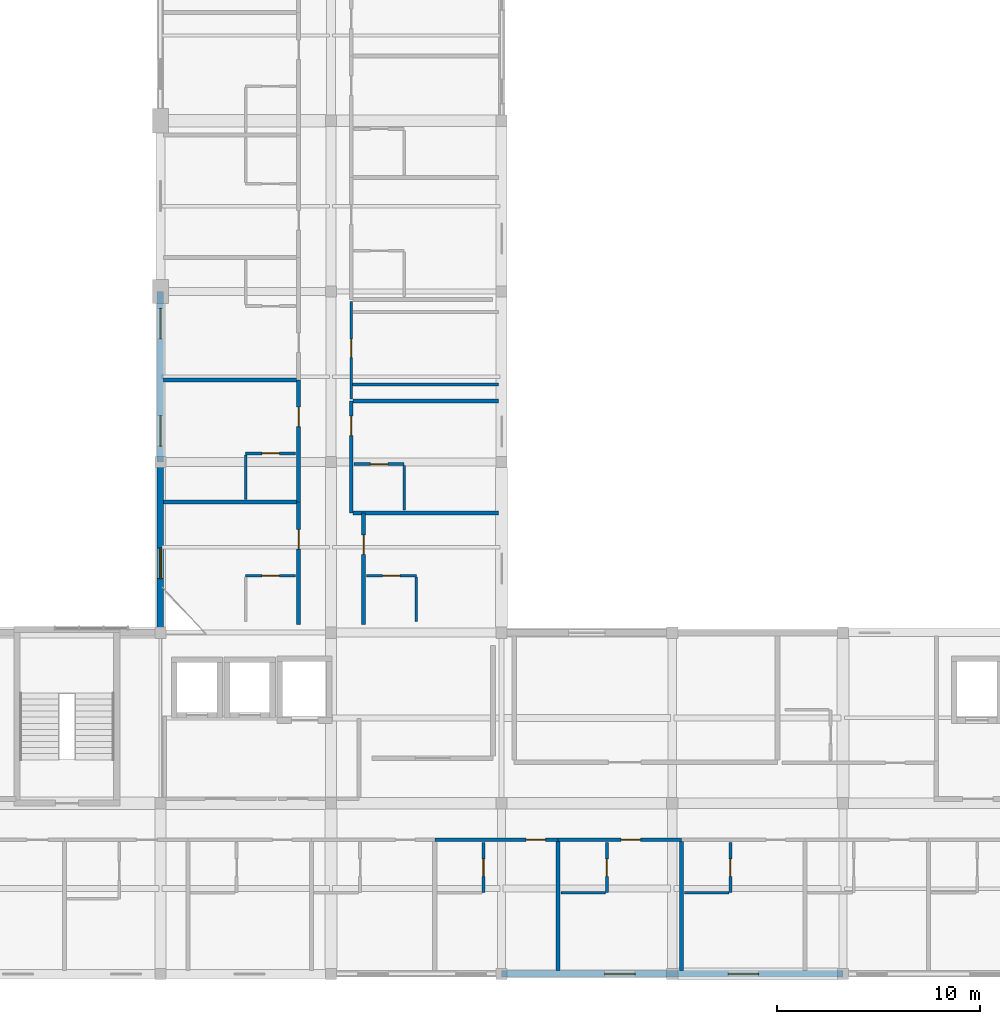
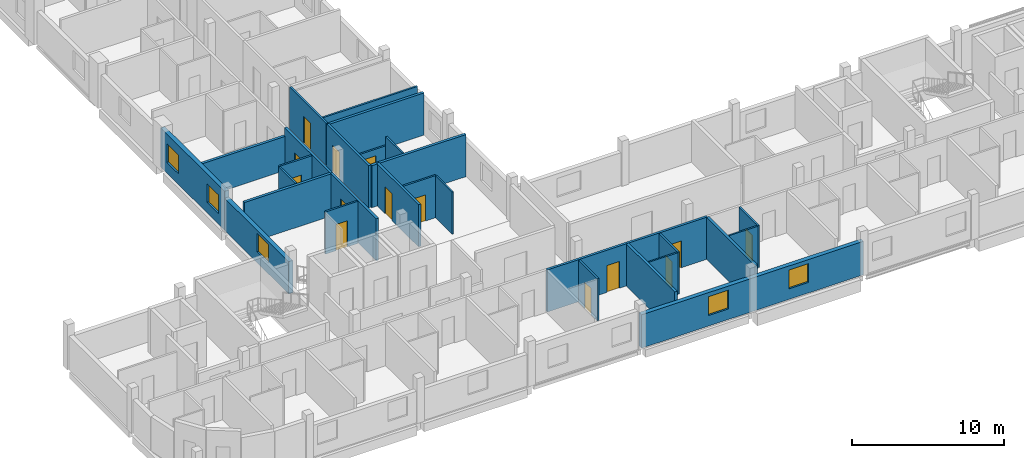
# One storey, part 11 of 20: 29 walls, 14 doors, 5 windows, 19 openings.
"""IFC4 building model written with IfcOpenShell, lengths in metres."""

from ifc_helpers import new_model, si_unit, derived_unit, direction, frame, frame_2d, origin, place, context, subcontext, project, spatial, rectangle, extrude, material, layer, layer_set, type_object, element, fill, save


model = new_model("IFC4")

# Units and contexts
model_context = context("Model", 3, precision=1e-05, world=origin(), true_north=direction((0.0, 1.0)))
body_context = subcontext(model_context, "Body", "Model", "MODEL_VIEW")
ifc_project = project(units=[si_unit("LENGTHUNIT", "METRE"), si_unit("AREAUNIT", "SQUARE_METRE"), si_unit("VOLUMEUNIT", "CUBIC_METRE"), si_unit("PLANEANGLEUNIT", "RADIAN"), si_unit("MASSUNIT", "GRAM", prefix="KILO"), derived_unit("THERMALTRANSMITTANCEUNIT", [(si_unit("POWERUNIT", "WATT"), 1), (si_unit("LENGTHUNIT", "METRE"), -2), (si_unit("THERMODYNAMICTEMPERATUREUNIT", "KELVIN"), -1)])], contexts=[model_context])

# Site, building, storey
site_placement = place(None, origin())
site = spatial("IfcSite", under=ifc_project, at=site_placement, CompositionType="ELEMENT")
building_placement = place(site_placement, origin())
building = spatial("IfcBuilding", under=site, at=building_placement, Name="Barrovel Congress Hotel", CompositionType="ELEMENT")
storey_placement = place(building_placement, frame((0.0, 0.0, 36.300048828125)))
storey = spatial("IfcBuildingStorey", under=building, at=storey_placement, Name="L09", CompositionType="ELEMENT", Elevation=36.300048828125)

# Wall, openings, windows
ifc_material_1 = material(Name="Fired Clay Brick Masonry", Category="masonry")
ifc_layer_1 = layer(ifc_material_1, 0.320068359375)
ifc_layer_set_1 = layer_set([ifc_layer_1], Name="Fired Clay Brick Masonry")
wall_type_1 = type_object("IfcWallType", Name="EW-BRK320", PredefinedType="STANDARD", material=ifc_layer_set_1)
wall_1_placement = place(storey_placement, frame((50.39990234375, 4.199951171875, 0.0), z_axis=(0.0, 0.0, 1.0), x_axis=(1.0, 0.0, 0.0)))
wall_1 = element("IfcWall", 1, at=wall_1_placement, inside=storey, type_object=wall_type_1, Name="EW:L09:HS-S:P04", PredefinedType="STANDARD", context=body_context, shape_type="SweptSolid", body=[
    extrude(rectangle(XDim=16.800048828125, YDim=0.320068359375, at=frame_2d((8.39990234375, 0.0))), origin(), (0.0, 0.0, 1.0), 2.679931640625),
])
opening_1_placement = place(wall_1_placement, frame((5.072998046875, 0.0, 0.85009765625)))
opening_1 = element("IfcOpeningElement", 2, at=opening_1_placement, cuts=wall_1, Name="Opening WN-07", PredefinedType="OPENING", context=body_context, shape_type="SweptSolid", body=[
    extrude(rectangle(XDim=1.5, YDim=1.5, at=frame_2d((0.75, 0.75))), frame((0.0, 0.169921875, 0.0), z_axis=(0.0, -1.0, 0.0), x_axis=(1.0, 0.0, 0.0)), (0.0, 0.0, 1.0), 0.340087890625),
])
opening_2_placement = place(wall_1_placement, frame((11.14990234375, 0.0, 0.85009765625)))
opening_2 = element("IfcOpeningElement", 3, at=opening_2_placement, cuts=wall_1, Name="Opening WN-07", PredefinedType="OPENING", context=body_context, shape_type="SweptSolid", body=[
    extrude(rectangle(XDim=1.5, YDim=1.5, at=frame_2d((0.75, 0.75))), frame((0.0, 0.169921875, 0.0), z_axis=(0.0, -1.0, 0.0), x_axis=(1.0, 0.0, 0.0)), (0.0, 0.0, 1.0), 0.340087890625),
])
ifc_material_2 = material(Name="Double Low-E Insulated Glazing", Category="glass")
window_type = type_object("IfcWindowType", Name="WIN-WN-07", PartitioningType="SINGLE_PANEL", PredefinedType="WINDOW", material=ifc_material_2)
window_1_placement = place(opening_1_placement, origin())
window_1 = element("IfcWindow", 4, at=window_1_placement, inside=storey, type_object=window_type, Name="WIN:L09:U07", OverallHeight=1.5, OverallWidth=1.5, PartitioningType="SINGLE_PANEL", PredefinedType="WINDOW", context=body_context, shape_type="SweptSolid", body=[
    extrude(rectangle(XDim=1.5, YDim=1.5, at=frame_2d((0.75, 0.75))), frame((0.0, 0.030029296875, 0.0), z_axis=(0.0, -1.0, 0.0), x_axis=(1.0, 0.0, 0.0)), (0.0, 0.0, 1.0), 0.06005859375),
])
fill(opening_1, window_1)
window_2_placement = place(opening_2_placement, origin())
window_2 = element("IfcWindow", 5, at=window_2_placement, inside=storey, type_object=window_type, Name="WIN:L09:U08", OverallHeight=1.5, OverallWidth=1.5, PartitioningType="SINGLE_PANEL", PredefinedType="WINDOW", context=body_context, shape_type="SweptSolid", body=[
    extrude(rectangle(XDim=1.5, YDim=1.5, at=frame_2d((0.75, 0.75))), frame((0.0, 0.030029296875, 0.0), z_axis=(0.0, -1.0, 0.0), x_axis=(1.0, 0.0, 0.0)), (0.0, 0.0, 1.0), 0.06005859375),
])
fill(opening_2, window_2)

wall_2_placement = place(storey_placement, frame((33.60009765625, 37.800048828125, 0.0), z_axis=(0.0, 0.0, 1.0), x_axis=(0.0, -1.0, 0.0)))
wall_2 = element("IfcWall", 6, at=wall_2_placement, inside=storey, type_object=wall_type_1, Name="EW:L09:HW-W:P03", PredefinedType="STANDARD", context=body_context, shape_type="SweptSolid", body=[
    extrude(rectangle(XDim=8.400146484375, YDim=0.320068359375, at=frame_2d((4.2001953125, 0.0))), origin(), (0.0, 0.0, 1.0), 3.1259765625),
])
opening_3_placement = place(wall_2_placement, frame((6.112548828125, 0.0, 0.85009765625)))
opening_3 = element("IfcOpeningElement", 7, at=opening_3_placement, cuts=wall_2, Name="Opening WN-07", PredefinedType="OPENING", context=body_context, shape_type="SweptSolid", body=[
    extrude(rectangle(XDim=1.5, YDim=1.5, at=frame_2d((0.75, 0.75))), frame((0.0, 0.169921875, 0.0), z_axis=(0.0, -1.0, 0.0), x_axis=(1.0, 0.0, 0.0)), (0.0, 0.0, 1.0), 0.340087890625),
])
opening_4_placement = place(wall_2_placement, frame((0.83740234375, 0.0, 0.85009765625)))
opening_4 = element("IfcOpeningElement", 8, at=opening_4_placement, cuts=wall_2, Name="Opening WN-07", PredefinedType="OPENING", context=body_context, shape_type="SweptSolid", body=[
    extrude(rectangle(XDim=1.5, YDim=1.5, at=frame_2d((0.75, 0.75))), frame((0.0, 0.169921875, 0.0), z_axis=(0.0, -1.0, 0.0), x_axis=(1.0, 0.0, 0.0)), (0.0, 0.0, 1.0), 0.340087890625),
])
window_3_placement = place(opening_3_placement, origin())
window_3 = element("IfcWindow", 9, at=window_3_placement, inside=storey, type_object=window_type, Name="WIN:L09:U26", OverallHeight=1.5, OverallWidth=1.5, PartitioningType="SINGLE_PANEL", PredefinedType="WINDOW", context=body_context, shape_type="SweptSolid", body=[
    extrude(rectangle(XDim=1.5, YDim=1.5, at=frame_2d((0.75, 0.75))), frame((0.0, 0.030029296875, 0.0), z_axis=(0.0, -1.0, 0.0), x_axis=(1.0, 0.0, 0.0)), (0.0, 0.0, 1.0), 0.06005859375),
])
fill(opening_3, window_3)
window_4_placement = place(opening_4_placement, origin())
window_4 = element("IfcWindow", 10, at=window_4_placement, inside=storey, type_object=window_type, Name="WIN:L09:U27", OverallHeight=1.5, OverallWidth=1.5, PartitioningType="SINGLE_PANEL", PredefinedType="WINDOW", context=body_context, shape_type="SweptSolid", body=[
    extrude(rectangle(XDim=1.5, YDim=1.5, at=frame_2d((0.75, 0.75))), frame((0.0, 0.030029296875, 0.0), z_axis=(0.0, -1.0, 0.0), x_axis=(1.0, 0.0, 0.0)), (0.0, 0.0, 1.0), 0.06005859375),
])
fill(opening_4, window_4)

# Wall, opening, window
wall_3_placement = place(storey_placement, frame((33.60009765625, 29.39990234375, 0.0), z_axis=(0.0, 0.0, 1.0), x_axis=(0.0, -1.0, 0.0)))
wall_3 = element("IfcWall", 11, at=wall_3_placement, inside=storey, type_object=wall_type_1, Name="EW:L09:HW-W:P04", PredefinedType="STANDARD", context=body_context, shape_type="SweptSolid", body=[
    extrude(rectangle(XDim=8.39990234375, YDim=0.320068359375, at=frame_2d((4.199951171875, 0.0))), origin(), (0.0, 0.0, 1.0), 2.579833984375),
])
opening_5_placement = place(wall_3_placement, frame((4.237548828125, 0.0, 0.85009765625)))
opening_5 = element("IfcOpeningElement", 12, at=opening_5_placement, cuts=wall_3, Name="Opening WN-07", PredefinedType="OPENING", context=body_context, shape_type="SweptSolid", body=[
    extrude(rectangle(XDim=1.5, YDim=1.5, at=frame_2d((0.75, 0.75))), frame((0.0, 0.169921875, 0.0), z_axis=(0.0, -1.0, 0.0), x_axis=(1.0, 0.0, 0.0)), (0.0, 0.0, 1.0), 0.340087890625),
])
window_5_placement = place(opening_5_placement, origin())
window_5 = element("IfcWindow", 13, at=window_5_placement, inside=storey, type_object=window_type, Name="WIN:L09:U25", OverallHeight=1.5, OverallWidth=1.5, PartitioningType="SINGLE_PANEL", PredefinedType="WINDOW", context=body_context, shape_type="SweptSolid", body=[
    extrude(rectangle(XDim=1.5, YDim=1.5, at=frame_2d((0.75, 0.75))), frame((0.0, 0.030029296875, 0.0), z_axis=(0.0, -1.0, 0.0), x_axis=(1.0, 0.0, 0.0)), (0.0, 0.0, 1.0), 0.06005859375),
])
fill(opening_5, window_5)

# Wall, opening, door
ifc_material_3 = material(Name="Gypsum Acoustic Stud", Category="gypsum")
ifc_layer_2 = layer(ifc_material_3, 0.179931640625)
ifc_layer_set_2 = layer_set([ifc_layer_2], Name="Gypsum Acoustic Stud")
wall_type_2 = type_object("IfcWallType", Name="PW-ACU-180", PredefinedType="PARTITIONING", material=ifc_layer_set_2)
wall_4_placement = place(storey_placement, frame((47.107666015625, 10.800048828125, 0.0), z_axis=(0.0, 0.0, 1.0), x_axis=(1.0, 0.0, 0.0)))
wall_4 = element("IfcWall", 14, at=wall_4_placement, inside=storey, type_object=wall_type_2, Name="PW:L09:U06:COR", PredefinedType="PARTITIONING", context=body_context, shape_type="SweptSolid", body=[
    extrude(rectangle(XDim=6.076904296875, YDim=0.179931640625, at=frame_2d((3.03857421875, 0.0))), origin(), (0.0, 0.0, 1.0), 3.375),
])
opening_6_placement = place(wall_4_placement, frame((4.504638671875, 0.0, 0.0)))
opening_6 = element("IfcOpeningElement", 15, at=opening_6_placement, cuts=wall_4, Name="Opening ID-HTL", PredefinedType="OPENING", context=body_context, shape_type="SweptSolid", body=[
    extrude(rectangle(XDim=0.9599609375, YDim=2.14990234375, at=frame_2d((0.47998046875, 1.074951171875))), frame((0.0, 0.10009765625, 0.0), z_axis=(0.0, -1.0, 0.0), x_axis=(1.0, 0.0, 0.0)), (0.0, 0.0, 1.0), 0.199951171875),
])
ifc_material_4 = material(Name="Solid Oak Acoustic Timber Door", Category="wood")
door_type_1 = type_object("IfcDoorType", Name="IDR-ID-HTL", OperationType="NOTDEFINED", PredefinedType="DOOR", material=ifc_material_4)
door_1_placement = place(opening_6_placement, origin())
door_1 = element("IfcDoor", 16, at=door_1_placement, inside=storey, type_object=door_type_1, Name="DR:L09:U06:ENT", OperationType="SINGLE_SWING_RIGHT", OverallHeight=2.14990234375, OverallWidth=0.9599609375, PredefinedType="DOOR", context=body_context, shape_type="SweptSolid", body=[
    extrude(rectangle(XDim=0.9599609375, YDim=2.14990234375, at=frame_2d((0.47998046875, 1.074951171875))), frame((0.0, 0.02490234375, 0.0), z_axis=(0.0, -1.0, 0.0), x_axis=(1.0, 0.0, 0.0)), (0.0, 0.0, 1.0), 0.050048828125),
])
fill(opening_6, door_1)

wall_5_placement = place(storey_placement, frame((53.1845703125, 10.800048828125, 0.0), z_axis=(0.0, 0.0, 1.0), x_axis=(1.0, 0.0, 0.0)))
wall_5 = element("IfcWall", 17, at=wall_5_placement, inside=storey, type_object=wall_type_2, Name="PW:L09:U07:COR", PredefinedType="PARTITIONING", context=body_context, shape_type="SweptSolid", body=[
    extrude(rectangle(XDim=6.076904296875, YDim=0.179931640625, at=frame_2d((3.03857421875, 0.0))), origin(), (0.0, 0.0, 1.0), 3.375),
])
opening_7_placement = place(wall_5_placement, frame((3.104736328125, 0.0, 0.0)))
opening_7 = element("IfcOpeningElement", 18, at=opening_7_placement, cuts=wall_5, Name="Opening ID-HTL", PredefinedType="OPENING", context=body_context, shape_type="SweptSolid", body=[
    extrude(rectangle(XDim=0.9599609375, YDim=2.14990234375, at=frame_2d((0.47998046875, 1.074951171875))), frame((0.0, 0.10009765625, 0.0), z_axis=(0.0, -1.0, 0.0), x_axis=(1.0, 0.0, 0.0)), (0.0, 0.0, 1.0), 0.199951171875),
])
door_2_placement = place(opening_7_placement, origin())
door_2 = element("IfcDoor", 19, at=door_2_placement, inside=storey, type_object=door_type_1, Name="DR:L09:U07:ENT", OperationType="SINGLE_SWING_RIGHT", OverallHeight=2.14990234375, OverallWidth=0.9599609375, PredefinedType="DOOR", context=body_context, shape_type="SweptSolid", body=[
    extrude(rectangle(XDim=0.9599609375, YDim=2.14990234375, at=frame_2d((0.47998046875, 1.074951171875))), frame((0.0, 0.02490234375, 0.0), z_axis=(0.0, -1.0, 0.0), x_axis=(1.0, 0.0, 0.0)), (0.0, 0.0, 1.0), 0.050048828125),
])
fill(opening_7, door_2)

wall_6_placement = place(storey_placement, frame((40.39990234375, 21.39990234375, 0.0), z_axis=(0.0, 0.0, 1.0), x_axis=(0.0, 1.0, 0.0)))
wall_6 = element("IfcWall", 20, at=wall_6_placement, inside=storey, type_object=wall_type_2, Name="PW:L09:U25:COR", PredefinedType="PARTITIONING", context=body_context, shape_type="SweptSolid", body=[
    extrude(rectangle(XDim=6.025146484375, YDim=0.179931640625, at=frame_2d((3.0126953125, 0.0))), origin(), (0.0, 0.0, 1.0), 3.375),
])
opening_8_placement = place(wall_6_placement, frame((3.717529296875, 0.0, 0.0)))
opening_8 = element("IfcOpeningElement", 21, at=opening_8_placement, cuts=wall_6, Name="Opening ID-HTL", PredefinedType="OPENING", context=body_context, shape_type="SweptSolid", body=[
    extrude(rectangle(XDim=0.9599609375, YDim=2.14990234375, at=frame_2d((0.47998046875, 1.074951171875))), frame((0.0, 0.10009765625, 0.0), z_axis=(0.0, -1.0, 0.0), x_axis=(1.0, 0.0, 0.0)), (0.0, 0.0, 1.0), 0.199951171875),
])
door_3_placement = place(opening_8_placement, origin())
door_3 = element("IfcDoor", 22, at=door_3_placement, inside=storey, type_object=door_type_1, Name="DR:L09:U25:ENT", OperationType="SINGLE_SWING_RIGHT", OverallHeight=2.14990234375, OverallWidth=0.9599609375, PredefinedType="DOOR", context=body_context, shape_type="SweptSolid", body=[
    extrude(rectangle(XDim=0.9599609375, YDim=2.14990234375, at=frame_2d((0.47998046875, 1.074951171875))), frame((0.0, 0.02490234375, 0.0), z_axis=(0.0, -1.0, 0.0), x_axis=(1.0, 0.0, 0.0)), (0.0, 0.0, 1.0), 0.050048828125),
])
fill(opening_8, door_3)

wall_7_placement = place(storey_placement, frame((40.39990234375, 27.425048828125, 0.0), z_axis=(0.0, 0.0, 1.0), x_axis=(0.0, 1.0, 0.0)))
wall_7 = element("IfcWall", 23, at=wall_7_placement, inside=storey, type_object=wall_type_2, Name="PW:L09:U26:COR", PredefinedType="PARTITIONING", context=body_context, shape_type="SweptSolid", body=[
    extrude(rectangle(XDim=6.02490234375, YDim=0.179931640625, at=frame_2d((3.012451171875, 0.0))), origin(), (0.0, 0.0, 1.0), 3.375),
])
opening_9_placement = place(wall_7_placement, frame((3.717529296875, 0.0, 0.0)))
opening_9 = element("IfcOpeningElement", 24, at=opening_9_placement, cuts=wall_7, Name="Opening ID-HTL", PredefinedType="OPENING", context=body_context, shape_type="SweptSolid", body=[
    extrude(rectangle(XDim=0.9599609375, YDim=2.14990234375, at=frame_2d((0.47998046875, 1.074951171875))), frame((0.0, 0.10009765625, 0.0), z_axis=(0.0, -1.0, 0.0), x_axis=(1.0, 0.0, 0.0)), (0.0, 0.0, 1.0), 0.199951171875),
])
door_4_placement = place(opening_9_placement, origin())
door_4 = element("IfcDoor", 25, at=door_4_placement, inside=storey, type_object=door_type_1, Name="DR:L09:U26:ENT", OperationType="SINGLE_SWING_RIGHT", OverallHeight=2.14990234375, OverallWidth=0.9599609375, PredefinedType="DOOR", context=body_context, shape_type="SweptSolid", body=[
    extrude(rectangle(XDim=0.9599609375, YDim=2.14990234375, at=frame_2d((0.47998046875, 1.074951171875))), frame((0.0, 0.02490234375, 0.0), z_axis=(0.0, -1.0, 0.0), x_axis=(1.0, 0.0, 0.0)), (0.0, 0.0, 1.0), 0.050048828125),
])
fill(opening_9, door_4)

wall_8_placement = place(storey_placement, frame((43.60009765625, 21.39990234375, 0.0), z_axis=(0.0, 0.0, 1.0), x_axis=(0.0, 1.0, 0.0)))
wall_8 = element("IfcWall", 26, at=wall_8_placement, inside=storey, type_object=wall_type_2, Name="PW:L09:U33:COR", PredefinedType="PARTITIONING", context=body_context, shape_type="SweptSolid", body=[
    extrude(rectangle(XDim=5.5, YDim=0.179931640625, at=frame_2d((2.75, 0.0))), origin(), (0.0, 0.0, 1.0), 3.375),
])
opening_10_placement = place(wall_8_placement, frame((3.455078125, 0.0, 0.0)))
opening_10 = element("IfcOpeningElement", 27, at=opening_10_placement, cuts=wall_8, Name="Opening ID-HTL", PredefinedType="OPENING", context=body_context, shape_type="SweptSolid", body=[
    extrude(rectangle(XDim=0.9599609375, YDim=2.14990234375, at=frame_2d((0.47998046875, 1.074951171875))), frame((0.0, 0.10009765625, 0.0), z_axis=(0.0, -1.0, 0.0), x_axis=(1.0, 0.0, 0.0)), (0.0, 0.0, 1.0), 0.199951171875),
])
door_5_placement = place(opening_10_placement, origin())
door_5 = element("IfcDoor", 28, at=door_5_placement, inside=storey, type_object=door_type_1, Name="DR:L09:U33:ENT", OperationType="SINGLE_SWING_RIGHT", OverallHeight=2.14990234375, OverallWidth=0.9599609375, PredefinedType="DOOR", context=body_context, shape_type="SweptSolid", body=[
    extrude(rectangle(XDim=0.9599609375, YDim=2.14990234375, at=frame_2d((0.47998046875, 1.074951171875))), frame((0.0, 0.02490234375, 0.0), z_axis=(0.0, -1.0, 0.0), x_axis=(1.0, 0.0, 0.0)), (0.0, 0.0, 1.0), 0.050048828125),
])
fill(opening_10, door_5)

wall_9_placement = place(storey_placement, frame((43.0, 26.89990234375, 0.0), z_axis=(0.0, 0.0, 1.0), x_axis=(0.0, 1.0, 0.0)))
wall_9 = element("IfcWall", 29, at=wall_9_placement, inside=storey, type_object=wall_type_2, Name="PW:L09:U34:COR", PredefinedType="PARTITIONING", context=body_context, shape_type="SweptSolid", body=[
    extrude(rectangle(XDim=5.5, YDim=0.179931640625, at=frame_2d((2.75, 0.0))), origin(), (0.0, 0.0, 1.0), 3.375),
])
opening_11_placement = place(wall_9_placement, frame((3.804931640625, 0.0, 0.0)))
opening_11 = element("IfcOpeningElement", 30, at=opening_11_placement, cuts=wall_9, Name="Opening ID-HTL", PredefinedType="OPENING", context=body_context, shape_type="SweptSolid", body=[
    extrude(rectangle(XDim=0.9599609375, YDim=2.14990234375, at=frame_2d((0.47998046875, 1.074951171875))), frame((0.0, 0.10009765625, 0.0), z_axis=(0.0, -1.0, 0.0), x_axis=(1.0, 0.0, 0.0)), (0.0, 0.0, 1.0), 0.199951171875),
])
door_6_placement = place(opening_11_placement, origin())
door_6 = element("IfcDoor", 31, at=door_6_placement, inside=storey, type_object=door_type_1, Name="DR:L09:U34:ENT", OperationType="SINGLE_SWING_RIGHT", OverallHeight=2.14990234375, OverallWidth=0.9599609375, PredefinedType="DOOR", context=body_context, shape_type="SweptSolid", body=[
    extrude(rectangle(XDim=0.9599609375, YDim=2.14990234375, at=frame_2d((0.47998046875, 1.074951171875))), frame((0.0, 0.02490234375, 0.0), z_axis=(0.0, -1.0, 0.0), x_axis=(1.0, 0.0, 0.0)), (0.0, 0.0, 1.0), 0.050048828125),
])
fill(opening_11, door_6)

# Walls
ifc_layer_3 = layer(ifc_material_3, 0.1201171875)
ifc_layer_set_3 = layer_set([ifc_layer_3], Name="Gypsum Acoustic Stud")
wall_type_3 = type_object("IfcWallType", Name="PW-INT-120", PredefinedType="PARTITIONING", material=ifc_layer_set_3)
for number, where, z_axis, x_axis, name in (
    (32, (53.32470703125, 8.199951171875, 0.0), (0.0, 0.0, 1.0), (1.0, 0.0, 0.0), "PW:L09:U07:B2"),
    (33, (59.401611328125, 8.199951171875, 0.0), (0.0, 0.0, 1.0), (1.0, 0.0, 0.0), "PW:L09:U08:B2"),
    (34, (37.800048828125, 27.56494140625, 0.0), (0.0, 0.0, 1.0), (0.0, 1.0, 0.0), "PW:L09:U26:B2"),
    (35, (46.199951171875, 21.5400390625, 0.0), (0.0, 0.0, 1.0), (0.0, 1.0, 0.0), "PW:L09:U33:B2"),
    (36, (45.60009765625, 27.0400390625, 0.0), (0.0, 0.0, 1.0), (0.0, 1.0, 0.0), "PW:L09:U34:B2"),
):
    element("IfcWall", number, at=place(storey_placement, frame(where, z_axis=z_axis, x_axis=x_axis)), inside=storey, type_object=wall_type_3, Name=name, PredefinedType="PARTITIONING", context=body_context, shape_type="SweptSolid", body=[
        extrude(rectangle(XDim=2.18994140625, YDim=0.1201171875, at=frame_2d((1.094970703125, 0.0))), origin(), (0.0, 0.0, 1.0), 3.375),
    ])
ifc_layer_4 = layer(ifc_material_1, 0.199951171875)
ifc_layer_set_4 = layer_set([ifc_layer_4], Name="Fired Clay Brick Masonry")
wall_type_4 = type_object("IfcWallType", Name="PW-MAS-200", PredefinedType="PARTITIONING", material=ifc_layer_set_4)
for number, where, z_axis, x_axis, name in (
    (37, (53.1845703125, 4.360107421875, 0.0), (0.0, 0.0, 1.0), (0.0, 1.0, 0.0), "PW:L09:U06:DEM"),
    (38, (59.261474609375, 4.360107421875, 0.0), (0.0, 0.0, 1.0), (0.0, 1.0, 0.0), "PW:L09:U07:DEM"),
):
    element("IfcWall", number, at=place(storey_placement, frame(where, z_axis=z_axis, x_axis=x_axis)), inside=storey, type_object=wall_type_4, Name=name, PredefinedType="PARTITIONING", context=body_context, shape_type="SweptSolid", body=[
        extrude(rectangle(XDim=6.349853515625, YDim=0.199951171875, at=frame_2d((3.1748046875, 0.0))), origin(), (0.0, 0.0, 1.0), 3.375),
    ])
wall_10_placement = place(storey_placement, frame((33.760009765625, 27.425048828125, 0.0), z_axis=(0.0, 0.0, 1.0), x_axis=(1.0, 0.0, 0.0)))
element("IfcWall", 39, at=wall_10_placement, inside=storey, type_object=wall_type_4, Name="PW:L09:U25:DEM", PredefinedType="PARTITIONING", context=body_context, shape_type="SweptSolid", body=[
    extrude(rectangle(XDim=6.550048828125, YDim=0.199951171875, at=frame_2d((3.27490234375, 0.0))), origin(), (0.0, 0.0, 1.0), 3.375),
])
wall_11_placement = place(storey_placement, frame((33.760009765625, 33.449951171875, 0.0), z_axis=(0.0, 0.0, 1.0), x_axis=(1.0, 0.0, 0.0)))
element("IfcWall", 40, at=wall_11_placement, inside=storey, type_object=wall_type_4, Name="PW:L09:U26:DEM", PredefinedType="PARTITIONING", context=body_context, shape_type="SweptSolid", body=[
    extrude(rectangle(XDim=6.550048828125, YDim=0.199951171875, at=frame_2d((3.27490234375, 0.0))), origin(), (0.0, 0.0, 1.0), 2.72998046875),
])
for number, where, z_axis, x_axis, name in (
    (41, (43.090087890625, 26.89990234375, 0.0), (0.0, 0.0, 1.0), (1.0, 0.0, 0.0), "PW:L09:U33:DEM"),
    (42, (43.090087890625, 32.39990234375, 0.0), (0.0, 0.0, 1.0), (1.0, 0.0, 0.0), "PW:L09:U34:DEM"),
):
    element("IfcWall", number, at=place(storey_placement, frame(where, z_axis=z_axis, x_axis=x_axis)), inside=storey, type_object=wall_type_4, Name=name, PredefinedType="PARTITIONING", context=body_context, shape_type="SweptSolid", body=[
        extrude(rectangle(XDim=7.14990234375, YDim=0.199951171875, at=frame_2d((3.574951171875, 0.0))), origin(), (0.0, 0.0, 1.0), 3.375),
    ])

# Wall, opening, door
ifc_material_5 = material(Name="Gypsum Moisture Board", Category="gypsum")
ifc_layer_5 = layer(ifc_material_5, 0.139892578125)
ifc_layer_set_5 = layer_set([ifc_layer_5], Name="Gypsum Moisture Board")
wall_type_5 = type_object("IfcWallType", Name="PW-WET-140", PredefinedType="PARTITIONING", material=ifc_layer_set_5)
wall_12_placement = place(storey_placement, frame((49.5078125, 8.199951171875, 0.0), z_axis=(0.0, 0.0, 1.0), x_axis=(0.0, 1.0, 0.0)))
wall_12 = element("IfcWall", 43, at=wall_12_placement, inside=storey, type_object=wall_type_5, Name="PW:L09:U06:B1", PredefinedType="PARTITIONING", context=body_context, shape_type="SweptSolid", body=[
    extrude(rectangle(XDim=2.4599609375, YDim=0.139892578125, at=frame_2d((1.22998046875, 0.0))), origin(), (0.0, 0.0, 1.0), 3.375),
])
opening_12_placement = place(wall_12_placement, frame((0.800048828125, 0.0, 0.0)))
opening_12 = element("IfcOpeningElement", 44, at=opening_12_placement, cuts=wall_12, Name="Opening ID-ENS", PredefinedType="OPENING", context=body_context, shape_type="SweptSolid", body=[
    extrude(rectangle(XDim=0.860107421875, YDim=2.10009765625, at=frame_2d((0.43017578125, 1.050048828125))), frame((0.0, 0.080078125, 0.0), z_axis=(0.0, -1.0, 0.0), x_axis=(1.0, 0.0, 0.0)), (0.0, 0.0, 1.0), 0.159912109375),
])
ifc_material_6 = material(Name="Lacquered Timber Moisture Door", Category="wood")
door_type_2 = type_object("IfcDoorType", Name="IDR-ID-ENS", OperationType="NOTDEFINED", PredefinedType="DOOR", material=ifc_material_6)
door_7_placement = place(opening_12_placement, origin())
door_7 = element("IfcDoor", 45, at=door_7_placement, inside=storey, type_object=door_type_2, Name="DR:L09:U06:ENS", OperationType="SINGLE_SWING_LEFT", OverallHeight=2.10009765625, OverallWidth=0.860107421875, PredefinedType="DOOR", context=body_context, shape_type="SweptSolid", body=[
    extrude(rectangle(XDim=0.860107421875, YDim=2.10009765625, at=frame_2d((0.43017578125, 1.050048828125))), frame((0.0, 0.02490234375, 0.0), z_axis=(0.0, -1.0, 0.0), x_axis=(1.0, 0.0, 0.0)), (0.0, 0.0, 1.0), 0.050048828125),
])
fill(opening_12, door_7)

wall_13_placement = place(storey_placement, frame((55.584716796875, 8.199951171875, 0.0), z_axis=(0.0, 0.0, 1.0), x_axis=(0.0, 1.0, 0.0)))
wall_13 = element("IfcWall", 46, at=wall_13_placement, inside=storey, type_object=wall_type_5, Name="PW:L09:U07:B1", PredefinedType="PARTITIONING", context=body_context, shape_type="SweptSolid", body=[
    extrude(rectangle(XDim=2.4599609375, YDim=0.139892578125, at=frame_2d((1.22998046875, 0.0))), origin(), (0.0, 0.0, 1.0), 3.375),
])
opening_13_placement = place(wall_13_placement, frame((0.800048828125, 0.0, 0.0)))
opening_13 = element("IfcOpeningElement", 47, at=opening_13_placement, cuts=wall_13, Name="Opening ID-ENS", PredefinedType="OPENING", context=body_context, shape_type="SweptSolid", body=[
    extrude(rectangle(XDim=0.860107421875, YDim=2.10009765625, at=frame_2d((0.43017578125, 1.050048828125))), frame((0.0, 0.080078125, 0.0), z_axis=(0.0, -1.0, 0.0), x_axis=(1.0, 0.0, 0.0)), (0.0, 0.0, 1.0), 0.159912109375),
])
door_8_placement = place(opening_13_placement, origin())
door_8 = element("IfcDoor", 48, at=door_8_placement, inside=storey, type_object=door_type_2, Name="DR:L09:U07:ENS", OperationType="SINGLE_SWING_LEFT", OverallHeight=2.10009765625, OverallWidth=0.860107421875, PredefinedType="DOOR", context=body_context, shape_type="SweptSolid", body=[
    extrude(rectangle(XDim=0.860107421875, YDim=2.10009765625, at=frame_2d((0.43017578125, 1.050048828125))), frame((0.0, 0.02490234375, 0.0), z_axis=(0.0, -1.0, 0.0), x_axis=(1.0, 0.0, 0.0)), (0.0, 0.0, 1.0), 0.050048828125),
])
fill(opening_13, door_8)

wall_14_placement = place(storey_placement, frame((61.66162109375, 8.199951171875, 0.0), z_axis=(0.0, 0.0, 1.0), x_axis=(0.0, 1.0, 0.0)))
wall_14 = element("IfcWall", 49, at=wall_14_placement, inside=storey, type_object=wall_type_5, Name="PW:L09:U08:B1", PredefinedType="PARTITIONING", context=body_context, shape_type="SweptSolid", body=[
    extrude(rectangle(XDim=2.4599609375, YDim=0.139892578125, at=frame_2d((1.22998046875, 0.0))), origin(), (0.0, 0.0, 1.0), 3.375),
])
opening_14_placement = place(wall_14_placement, frame((0.800048828125, 0.0, 0.0)))
opening_14 = element("IfcOpeningElement", 50, at=opening_14_placement, cuts=wall_14, Name="Opening ID-ENS", PredefinedType="OPENING", context=body_context, shape_type="SweptSolid", body=[
    extrude(rectangle(XDim=0.860107421875, YDim=2.10009765625, at=frame_2d((0.43017578125, 1.050048828125))), frame((0.0, 0.080078125, 0.0), z_axis=(0.0, -1.0, 0.0), x_axis=(1.0, 0.0, 0.0)), (0.0, 0.0, 1.0), 0.159912109375),
])
door_9_placement = place(opening_14_placement, origin())
door_9 = element("IfcDoor", 51, at=door_9_placement, inside=storey, type_object=door_type_2, Name="DR:L09:U08:ENS", OperationType="SINGLE_SWING_LEFT", OverallHeight=2.10009765625, OverallWidth=0.860107421875, PredefinedType="DOOR", context=body_context, shape_type="SweptSolid", body=[
    extrude(rectangle(XDim=0.860107421875, YDim=2.10009765625, at=frame_2d((0.43017578125, 1.050048828125))), frame((0.0, 0.02490234375, 0.0), z_axis=(0.0, -1.0, 0.0), x_axis=(1.0, 0.0, 0.0)), (0.0, 0.0, 1.0), 0.050048828125),
])
fill(opening_14, door_9)

wall_15_placement = place(storey_placement, frame((37.800048828125, 23.800048828125, 0.0), z_axis=(0.0, 0.0, 1.0), x_axis=(1.0, 0.0, 0.0)))
wall_15 = element("IfcWall", 52, at=wall_15_placement, inside=storey, type_object=wall_type_5, Name="PW:L09:U25:B1", PredefinedType="PARTITIONING", context=body_context, shape_type="SweptSolid", body=[
    extrude(rectangle(XDim=2.4599609375, YDim=0.139892578125, at=frame_2d((1.22998046875, 0.0))), origin(), (0.0, 0.0, 1.0), 3.375),
])
opening_15_placement = place(wall_15_placement, frame((0.800048828125, 0.0, 0.0)))
opening_15 = element("IfcOpeningElement", 53, at=opening_15_placement, cuts=wall_15, Name="Opening ID-ENS", PredefinedType="OPENING", context=body_context, shape_type="SweptSolid", body=[
    extrude(rectangle(XDim=0.860107421875, YDim=2.10009765625, at=frame_2d((0.43017578125, 1.050048828125))), frame((0.0, 0.080078125, 0.0), z_axis=(0.0, -1.0, 0.0), x_axis=(1.0, 0.0, 0.0)), (0.0, 0.0, 1.0), 0.159912109375),
])
door_10_placement = place(opening_15_placement, origin())
door_10 = element("IfcDoor", 54, at=door_10_placement, inside=storey, type_object=door_type_2, Name="DR:L09:U25:ENS", OperationType="SINGLE_SWING_LEFT", OverallHeight=2.10009765625, OverallWidth=0.860107421875, PredefinedType="DOOR", context=body_context, shape_type="SweptSolid", body=[
    extrude(rectangle(XDim=0.860107421875, YDim=2.10009765625, at=frame_2d((0.43017578125, 1.050048828125))), frame((0.0, 0.02490234375, 0.0), z_axis=(0.0, -1.0, 0.0), x_axis=(1.0, 0.0, 0.0)), (0.0, 0.0, 1.0), 0.050048828125),
])
fill(opening_15, door_10)

wall_16_placement = place(storey_placement, frame((37.800048828125, 29.824951171875, 0.0), z_axis=(0.0, 0.0, 1.0), x_axis=(1.0, 0.0, 0.0)))
wall_16 = element("IfcWall", 55, at=wall_16_placement, inside=storey, type_object=wall_type_5, Name="PW:L09:U26:B1", PredefinedType="PARTITIONING", context=body_context, shape_type="SweptSolid", body=[
    extrude(rectangle(XDim=2.4599609375, YDim=0.139892578125, at=frame_2d((1.22998046875, 0.0))), origin(), (0.0, 0.0, 1.0), 3.375),
])
opening_16_placement = place(wall_16_placement, frame((0.800048828125, 0.0, 0.0)))
opening_16 = element("IfcOpeningElement", 56, at=opening_16_placement, cuts=wall_16, Name="Opening ID-ENS", PredefinedType="OPENING", context=body_context, shape_type="SweptSolid", body=[
    extrude(rectangle(XDim=0.860107421875, YDim=2.10009765625, at=frame_2d((0.43017578125, 1.050048828125))), frame((0.0, 0.080078125, 0.0), z_axis=(0.0, -1.0, 0.0), x_axis=(1.0, 0.0, 0.0)), (0.0, 0.0, 1.0), 0.159912109375),
])
door_11_placement = place(opening_16_placement, origin())
door_11 = element("IfcDoor", 57, at=door_11_placement, inside=storey, type_object=door_type_2, Name="DR:L09:U26:ENS", OperationType="SINGLE_SWING_LEFT", OverallHeight=2.10009765625, OverallWidth=0.860107421875, PredefinedType="DOOR", context=body_context, shape_type="SweptSolid", body=[
    extrude(rectangle(XDim=0.860107421875, YDim=2.10009765625, at=frame_2d((0.43017578125, 1.050048828125))), frame((0.0, 0.02490234375, 0.0), z_axis=(0.0, -1.0, 0.0), x_axis=(1.0, 0.0, 0.0)), (0.0, 0.0, 1.0), 0.050048828125),
])
fill(opening_16, door_11)

wall_17_placement = place(storey_placement, frame((43.739990234375, 23.800048828125, 0.0), z_axis=(0.0, 0.0, 1.0), x_axis=(1.0, 0.0, 0.0)))
wall_17 = element("IfcWall", 58, at=wall_17_placement, inside=storey, type_object=wall_type_5, Name="PW:L09:U33:B1", PredefinedType="PARTITIONING", context=body_context, shape_type="SweptSolid", body=[
    extrude(rectangle(XDim=2.4599609375, YDim=0.139892578125, at=frame_2d((1.22998046875, 0.0))), origin(), (0.0, 0.0, 1.0), 3.375),
])
opening_17_placement = place(wall_17_placement, frame((0.800048828125, 0.0, 0.0)))
opening_17 = element("IfcOpeningElement", 59, at=opening_17_placement, cuts=wall_17, Name="Opening ID-ENS", PredefinedType="OPENING", context=body_context, shape_type="SweptSolid", body=[
    extrude(rectangle(XDim=0.860107421875, YDim=2.10009765625, at=frame_2d((0.43017578125, 1.050048828125))), frame((0.0, 0.080078125, 0.0), z_axis=(0.0, -1.0, 0.0), x_axis=(1.0, 0.0, 0.0)), (0.0, 0.0, 1.0), 0.159912109375),
])
door_12_placement = place(opening_17_placement, origin())
door_12 = element("IfcDoor", 60, at=door_12_placement, inside=storey, type_object=door_type_2, Name="DR:L09:U33:ENS", OperationType="SINGLE_SWING_LEFT", OverallHeight=2.10009765625, OverallWidth=0.860107421875, PredefinedType="DOOR", context=body_context, shape_type="SweptSolid", body=[
    extrude(rectangle(XDim=0.860107421875, YDim=2.10009765625, at=frame_2d((0.43017578125, 1.050048828125))), frame((0.0, 0.02490234375, 0.0), z_axis=(0.0, -1.0, 0.0), x_axis=(1.0, 0.0, 0.0)), (0.0, 0.0, 1.0), 0.050048828125),
])
fill(opening_17, door_12)

wall_18_placement = place(storey_placement, frame((43.139892578125, 29.300048828125, 0.0), z_axis=(0.0, 0.0, 1.0), x_axis=(1.0, 0.0, 0.0)))
wall_18 = element("IfcWall", 61, at=wall_18_placement, inside=storey, type_object=wall_type_5, Name="PW:L09:U34:B1", PredefinedType="PARTITIONING", context=body_context, shape_type="SweptSolid", body=[
    extrude(rectangle(XDim=2.460205078125, YDim=0.139892578125, at=frame_2d((1.22998046875, 0.0))), origin(), (0.0, 0.0, 1.0), 2.6298828125),
])
opening_18_placement = place(wall_18_placement, frame((0.800048828125, 0.0, 0.0)))
opening_18 = element("IfcOpeningElement", 62, at=opening_18_placement, cuts=wall_18, Name="Opening ID-ENS", PredefinedType="OPENING", context=body_context, shape_type="SweptSolid", body=[
    extrude(rectangle(XDim=0.860107421875, YDim=2.10009765625, at=frame_2d((0.43017578125, 1.050048828125))), frame((0.0, 0.080078125, 0.0), z_axis=(0.0, -1.0, 0.0), x_axis=(1.0, 0.0, 0.0)), (0.0, 0.0, 1.0), 0.159912109375),
])
door_13_placement = place(opening_18_placement, origin())
door_13 = element("IfcDoor", 63, at=door_13_placement, inside=storey, type_object=door_type_2, Name="DR:L09:U34:ENS", OperationType="SINGLE_SWING_LEFT", OverallHeight=2.10009765625, OverallWidth=0.860107421875, PredefinedType="DOOR", context=body_context, shape_type="SweptSolid", body=[
    extrude(rectangle(XDim=0.860107421875, YDim=2.10009765625, at=frame_2d((0.43017578125, 1.050048828125))), frame((0.0, 0.02490234375, 0.0), z_axis=(0.0, -1.0, 0.0), x_axis=(1.0, 0.0, 0.0)), (0.0, 0.0, 1.0), 0.050048828125),
])
fill(opening_18, door_13)

wall_19_placement = place(storey_placement, frame((43.0, 32.5, 0.0), z_axis=(0.0, 0.0, 1.0), x_axis=(0.0, 1.0, 0.0)))
wall_19 = element("IfcWall", 64, at=wall_19_placement, inside=storey, type_object=wall_type_5, Name="RW:SP:L09:WC-A:W", PredefinedType="PARTITIONING", context=body_context, shape_type="SweptSolid", body=[
    extrude(rectangle(XDim=4.800048828125, YDim=0.139892578125, at=frame_2d((2.39990234375, 0.0))), origin(), (0.0, 0.0, 1.0), 3.375),
])
opening_19_placement = place(wall_19_placement, frame((2.050048828125, 0.0, 0.0)))
opening_19 = element("IfcOpeningElement", 65, at=opening_19_placement, cuts=wall_19, Name="Opening ID-WC1", PredefinedType="OPENING", context=body_context, shape_type="SweptSolid", body=[
    extrude(rectangle(XDim=0.89990234375, YDim=2.1201171875, at=frame_2d((0.449951171875, 1.06005859375))), frame((0.0, 0.080078125, 0.0), z_axis=(0.0, -1.0, 0.0), x_axis=(1.0, 0.0, 0.0)), (0.0, 0.0, 1.0), 0.159912109375),
])
door_type_3 = type_object("IfcDoorType", Name="IDR-ID-WC1", OperationType="NOTDEFINED", PredefinedType="DOOR", material=ifc_material_6)
door_14_placement = place(opening_19_placement, origin())
door_14 = element("IfcDoor", 66, at=door_14_placement, inside=storey, type_object=door_type_3, Name="RD:SP:L09:WC-A", OperationType="SINGLE_SWING_RIGHT", OverallHeight=2.1201171875, OverallWidth=0.89990234375, PredefinedType="DOOR", context=body_context, shape_type="SweptSolid", body=[
    extrude(rectangle(XDim=0.89990234375, YDim=2.1201171875, at=frame_2d((0.449951171875, 1.06005859375))), frame((0.0, 0.02490234375, 0.0), z_axis=(0.0, -1.0, 0.0), x_axis=(1.0, 0.0, 0.0)), (0.0, 0.0, 1.0), 0.050048828125),
])
fill(opening_19, door_14)

# Wall
wall_20_placement = place(storey_placement, frame((43.070068359375, 33.219970703125, 0.0), z_axis=(0.0, 0.0, 1.0), x_axis=(1.0, 0.0, 0.0)))
element("IfcWall", 67, at=wall_20_placement, inside=storey, type_object=wall_type_5, Name="RW:SP:L09:WC-A:S", PredefinedType="PARTITIONING", context=body_context, shape_type="SweptSolid", body=[
    extrude(rectangle(XDim=7.169921875, YDim=0.139892578125, at=frame_2d((3.5849609375, 0.0))), origin(), (0.0, 0.0, 1.0), 3.375),
])

save(model, "model.ifc")
